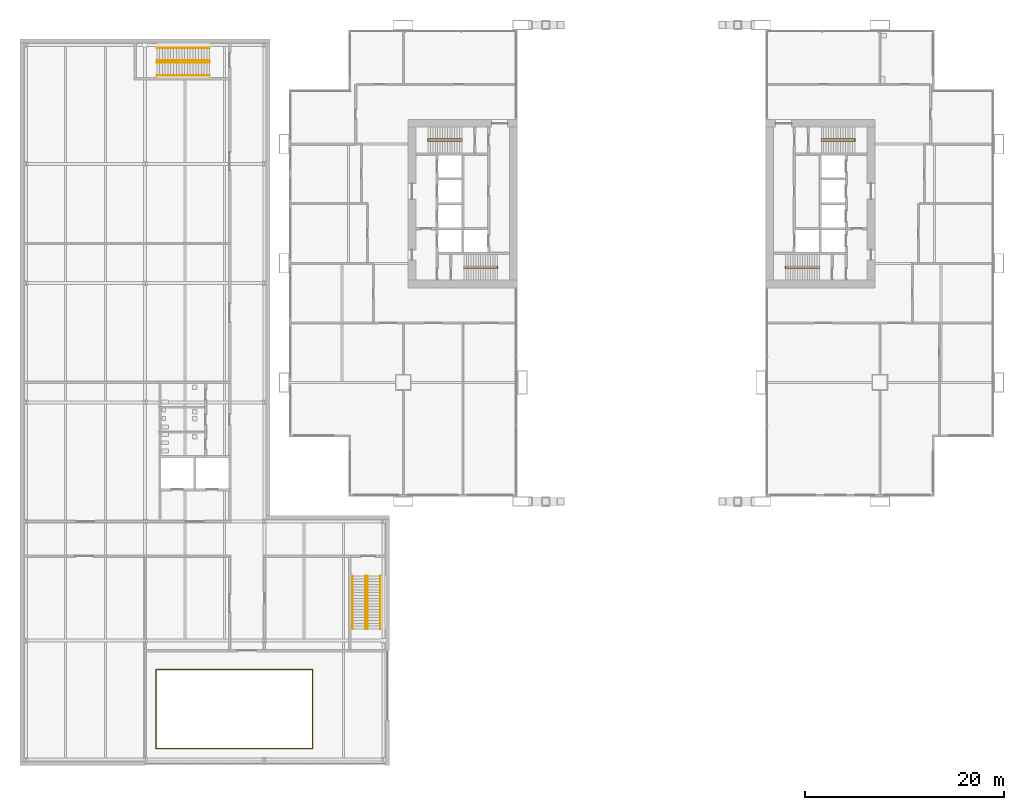
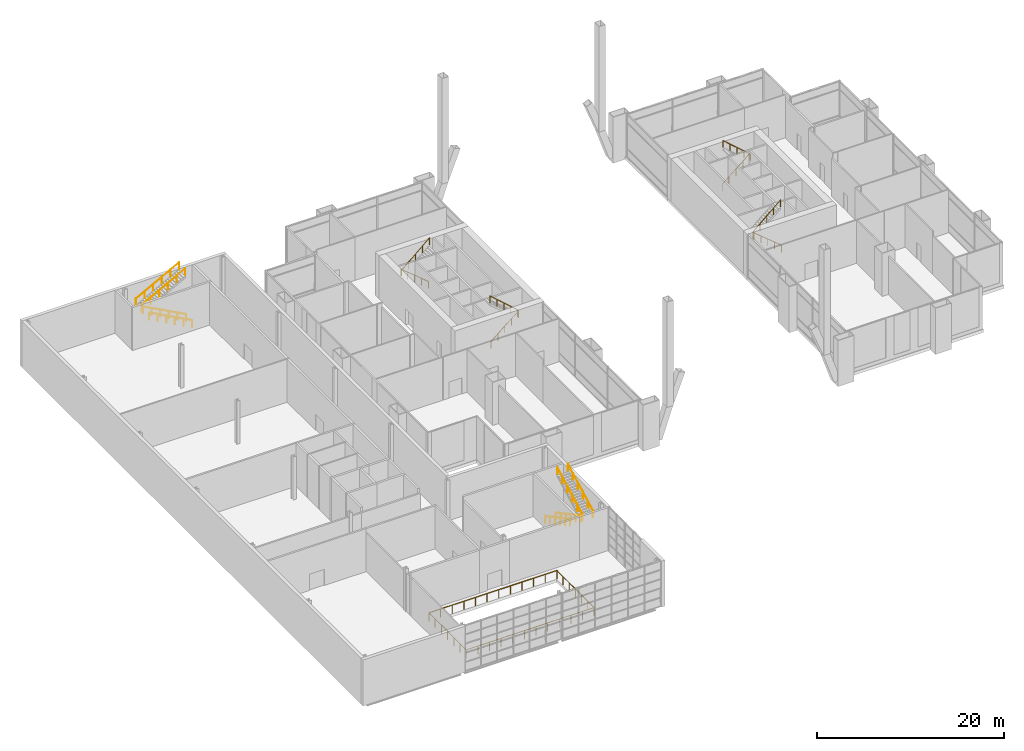
# One storey, part 29 of 30: 13 railings.
"""IFC4 building model written with IfcOpenShell, lengths in metres."""

from ifc_helpers import new_model, si_unit, direction, frame, origin, origin_2d, place, context, subcontext, project, spatial, circle, extrude, material, type_object, element, save


model = new_model("IFC4")

# Units and contexts
model_context = context("Model", 3, precision=1e-05, world=origin(), true_north=direction((0.0, 1.0)))
body_context = subcontext(model_context, "Body", "Model", "MODEL_VIEW")
ifc_project = project(units=[si_unit("LENGTHUNIT", "METRE"), si_unit("AREAUNIT", "SQUARE_METRE"), si_unit("VOLUMEUNIT", "CUBIC_METRE"), si_unit("PLANEANGLEUNIT", "RADIAN"), si_unit("MASSUNIT", "GRAM", prefix="KILO")], contexts=[model_context])

# Site, building, storey
site_placement = place(None, origin())
site = spatial("IfcSite", under=ifc_project, at=site_placement, CompositionType="ELEMENT")
building_placement = place(site_placement, origin())
building = spatial("IfcBuilding", under=site, at=building_placement, Name="Kitamizu Gate Tower and Museum", CompositionType="ELEMENT")
storey_placement = place(building_placement, frame((0.0, 0.0, 6.0)))
storey = spatial("IfcBuildingStorey", under=building, at=storey_placement, Name="L01", CompositionType="ELEMENT", Elevation=6.0)

# Railings
ifc_material_1 = material(Name="Stainless steel SUS304", Category="steel")
railing_type_1 = type_object("IfcRailingType", Name="Museum balcony guard 1100", PredefinedType="GUARDRAIL", material=ifc_material_1)
railing_1_placement = place(storey_placement, frame((2.8798828125, -24.8798828125, 0.0)))
element("IfcRailing", 1, at=railing_1_placement, inside=storey, type_object=railing_type_1, Name="Hall balcony guard", PredefinedType="GUARDRAIL", context=body_context, shape_type="SweptSolid", body=[
    extrude(circle(Radius=0.02490234375, at=origin_2d()), frame((0.0, 0.0, 1.0751953125), z_axis=(-1.0, 0.0, 0.0), x_axis=(0.0, -1.0, 0.0)), (0.0, 0.0, 1.0), 15.759765625),
    extrude(circle(Radius=0.02490234375, at=origin_2d()), frame((-15.759765625, 0.0, 1.0751953125), z_axis=(0.0, 1.0, 0.0), x_axis=(-1.0, 0.0, 0.0)), (0.0, 0.0, 1.0), 7.9599609375),
    extrude(circle(Radius=0.02490234375, at=origin_2d()), frame((-15.759765625, 7.9599609375, 1.0751953125), z_axis=(1.0, 0.0, 0.0), x_axis=(0.0, 1.0, 0.0)), (0.0, 0.0, 1.0), 15.759765625),
    extrude(circle(Radius=0.02490234375, at=origin_2d()), frame((0.0, 7.9599609375, 1.0751953125), z_axis=(0.0, -1.0, 0.0), x_axis=(1.0, 0.0, 0.0)), (0.0, 0.0, 1.0), 7.91015625),
    extrude(circle(Radius=0.02001953125, at=origin_2d()), origin(), (0.0, 0.0, 1.0), 1.050048828125),
    extrude(circle(Radius=0.02001953125, at=origin_2d()), frame((-1.4326171875, 0.0, 0.0)), (0.0, 0.0, 1.0), 1.050048828125),
    extrude(circle(Radius=0.02001953125, at=origin_2d()), frame((-2.865478515625, 0.0, 0.0)), (0.0, 0.0, 1.0), 1.050048828125),
    extrude(circle(Radius=0.02001953125, at=origin_2d()), frame((-4.298095703125, 0.0, 0.0)), (0.0, 0.0, 1.0), 1.050048828125),
    extrude(circle(Radius=0.02001953125, at=origin_2d()), frame((-5.730712890625, 0.0, 0.0)), (0.0, 0.0, 1.0), 1.050048828125),
    extrude(circle(Radius=0.02001953125, at=origin_2d()), frame((-7.16357421875, 0.0, 0.0)), (0.0, 0.0, 1.0), 1.050048828125),
    extrude(circle(Radius=0.02001953125, at=origin_2d()), frame((-8.59619140625, 0.0, 0.0)), (0.0, 0.0, 1.0), 1.050048828125),
    extrude(circle(Radius=0.02001953125, at=origin_2d()), frame((-10.029052734375, 0.0, 0.0)), (0.0, 0.0, 1.0), 1.050048828125),
    extrude(circle(Radius=0.02001953125, at=origin_2d()), frame((-11.461669921875, 0.0, 0.0)), (0.0, 0.0, 1.0), 1.050048828125),
    extrude(circle(Radius=0.02001953125, at=origin_2d()), frame((-12.894287109375, 0.0, 0.0)), (0.0, 0.0, 1.0), 1.050048828125),
    extrude(circle(Radius=0.02001953125, at=origin_2d()), frame((-14.3271484375, 0.0, 0.0)), (0.0, 0.0, 1.0), 1.050048828125),
    extrude(circle(Radius=0.02001953125, at=origin_2d()), frame((-15.759765625, 0.0, 0.0)), (0.0, 0.0, 1.0), 1.050048828125),
    extrude(circle(Radius=0.02001953125, at=origin_2d()), frame((-15.759765625, 1.32666015625, 0.0)), (0.0, 0.0, 1.0), 1.050048828125),
    extrude(circle(Radius=0.02001953125, at=origin_2d()), frame((-15.759765625, 2.6533203125, 0.0)), (0.0, 0.0, 1.0), 1.050048828125),
    extrude(circle(Radius=0.02001953125, at=origin_2d()), frame((-15.759765625, 3.97998046875, 0.0)), (0.0, 0.0, 1.0), 1.050048828125),
    extrude(circle(Radius=0.02001953125, at=origin_2d()), frame((-15.759765625, 5.306640625, 0.0)), (0.0, 0.0, 1.0), 1.050048828125),
    extrude(circle(Radius=0.02001953125, at=origin_2d()), frame((-15.759765625, 6.63330078125, 0.0)), (0.0, 0.0, 1.0), 1.050048828125),
    extrude(circle(Radius=0.02001953125, at=origin_2d()), frame((-15.759765625, 7.9599609375, 0.0)), (0.0, 0.0, 1.0), 1.050048828125),
    extrude(circle(Radius=0.02001953125, at=origin_2d()), frame((-14.3271484375, 7.9599609375, 0.0)), (0.0, 0.0, 1.0), 1.050048828125),
    extrude(circle(Radius=0.02001953125, at=origin_2d()), frame((-12.894287109375, 7.9599609375, 0.0)), (0.0, 0.0, 1.0), 1.050048828125),
    extrude(circle(Radius=0.02001953125, at=origin_2d()), frame((-11.461669921875, 7.9599609375, 0.0)), (0.0, 0.0, 1.0), 1.050048828125),
    extrude(circle(Radius=0.02001953125, at=origin_2d()), frame((-10.029052734375, 7.9599609375, 0.0)), (0.0, 0.0, 1.0), 1.050048828125),
    extrude(circle(Radius=0.02001953125, at=origin_2d()), frame((-8.59619140625, 7.9599609375, 0.0)), (0.0, 0.0, 1.0), 1.050048828125),
    extrude(circle(Radius=0.02001953125, at=origin_2d()), frame((-7.16357421875, 7.9599609375, 0.0)), (0.0, 0.0, 1.0), 1.050048828125),
    extrude(circle(Radius=0.02001953125, at=origin_2d()), frame((-5.730712890625, 7.9599609375, 0.0)), (0.0, 0.0, 1.0), 1.050048828125),
    extrude(circle(Radius=0.02001953125, at=origin_2d()), frame((-4.298095703125, 7.9599609375, 0.0)), (0.0, 0.0, 1.0), 1.050048828125),
    extrude(circle(Radius=0.02001953125, at=origin_2d()), frame((-2.865478515625, 7.9599609375, 0.0)), (0.0, 0.0, 1.0), 1.050048828125),
    extrude(circle(Radius=0.02001953125, at=origin_2d()), frame((-1.4326171875, 7.9599609375, 0.0)), (0.0, 0.0, 1.0), 1.050048828125),
    extrude(circle(Radius=0.02001953125, at=origin_2d()), frame((0.0, 7.9599609375, 0.0)), (0.0, 0.0, 1.0), 1.050048828125),
    extrude(circle(Radius=0.02001953125, at=origin_2d()), frame((0.0, 6.6416015625, 0.0)), (0.0, 0.0, 1.0), 1.050048828125),
    extrude(circle(Radius=0.02001953125, at=origin_2d()), frame((0.0, 5.3232421875, 0.0)), (0.0, 0.0, 1.0), 1.050048828125),
    extrude(circle(Radius=0.02001953125, at=origin_2d()), frame((0.0, 4.0048828125, 0.0)), (0.0, 0.0, 1.0), 1.050048828125),
    extrude(circle(Radius=0.02001953125, at=origin_2d()), frame((0.0, 2.6865234375, 0.0)), (0.0, 0.0, 1.0), 1.050048828125),
    extrude(circle(Radius=0.02001953125, at=origin_2d()), frame((0.0, 1.3681640625, 0.0)), (0.0, 0.0, 1.0), 1.050048828125),
    extrude(circle(Radius=0.02001953125, at=origin_2d()), frame((0.0, 0.0498046875, 0.0)), (0.0, 0.0, 1.0), 1.050048828125),
])
ifc_material_2 = material(Name="Stainless steel SUS304", Category="steel")
railing_type_2 = type_object("IfcRailingType", Name="Museum stair handrail 900", PredefinedType="HANDRAIL", material=ifc_material_2)
for number, where, name in (
    (2, (6.89990234375, -7.5, 0.14990234375), "Handrail stair S"),
    (3, (8.199951171875, -7.5, 0.14990234375), "Handrail stair S"),
):
    element("IfcRailing", number, at=place(storey_placement, frame(where)), inside=storey, type_object=railing_type_2, Name=name, PredefinedType="HANDRAIL", context=body_context, shape_type="SweptSolid", body=[
        extrude(circle(Radius=0.0224609375, at=origin_2d()), frame((0.0, 0.0, 0.87744140625), z_axis=(0.0, -0.881475760486, 0.472229270245), x_axis=(1.0, 0.0, 0.0)), (0.0, 0.0, 1.0), 6.035400390625),
        extrude(circle(Radius=0.01513671875, at=origin_2d()), origin(), (0.0, 0.0, 1.0), 0.85498046875),
        extrude(circle(Radius=0.01513671875, at=origin_2d()), frame((0.0, -1.06396484375, 0.570068359375)), (0.0, 0.0, 1.0), 0.85498046875),
        extrude(circle(Radius=0.01513671875, at=origin_2d()), frame((0.0, -2.1279296875, 1.14013671875)), (0.0, 0.0, 1.0), 0.85498046875),
        extrude(circle(Radius=0.01513671875, at=origin_2d()), frame((0.0, -3.192138671875, 1.7099609375)), (0.0, 0.0, 1.0), 0.85498046875),
        extrude(circle(Radius=0.01513671875, at=origin_2d()), frame((0.0, -4.256103515625, 2.280029296875)), (0.0, 0.0, 1.0), 0.85498046875),
        extrude(circle(Radius=0.01513671875, at=origin_2d()), frame((0.0, -5.320068359375, 2.85009765625)), (0.0, 0.0, 1.0), 0.85498046875),
    ])
for number, where, name in (
    (4, (8.39990234375, -12.820068359375, 3.14990234375), "Handrail stair S"),
    (5, (9.699951171875, -12.820068359375, 3.14990234375), "Handrail stair S"),
):
    element("IfcRailing", number, at=place(storey_placement, frame(where)), inside=storey, type_object=railing_type_2, Name=name, PredefinedType="HANDRAIL", context=body_context, shape_type="SweptSolid", body=[
        extrude(circle(Radius=0.0224609375, at=origin_2d()), frame((0.0, 0.0, 0.87744140625), z_axis=(0.0, 0.881475760486, 0.472229270245), x_axis=(-1.0, 0.0, 0.0)), (0.0, 0.0, 1.0), 6.035400390625),
        extrude(circle(Radius=0.01513671875, at=origin_2d()), origin(), (0.0, 0.0, 1.0), 0.85498046875),
        extrude(circle(Radius=0.01513671875, at=origin_2d()), frame((0.0, 1.06396484375, 0.570068359375)), (0.0, 0.0, 1.0), 0.85498046875),
        extrude(circle(Radius=0.01513671875, at=origin_2d()), frame((0.0, 2.1279296875, 1.14013671875)), (0.0, 0.0, 1.0), 0.85498046875),
        extrude(circle(Radius=0.01513671875, at=origin_2d()), frame((0.0, 3.192138671875, 1.7099609375)), (0.0, 0.0, 1.0), 0.85498046875),
        extrude(circle(Radius=0.01513671875, at=origin_2d()), frame((0.0, 4.256103515625, 2.280029296875)), (0.0, 0.0, 1.0), 0.85498046875),
        extrude(circle(Radius=0.01513671875, at=origin_2d()), frame((0.0, 5.320068359375, 2.85009765625)), (0.0, 0.0, 1.0), 0.85498046875),
    ])
for number, where, name in (
    (6, (-7.5, 42.89990234375, 0.14990234375), "Handrail stair N"),
    (7, (-7.5, 44.199951171875, 0.14990234375), "Handrail stair N"),
):
    element("IfcRailing", number, at=place(storey_placement, frame(where)), inside=storey, type_object=railing_type_2, Name=name, PredefinedType="HANDRAIL", context=body_context, shape_type="SweptSolid", body=[
        extrude(circle(Radius=0.0224609375, at=origin_2d()), frame((0.0, 0.0, 0.87744140625), z_axis=(-0.881475760486, 0.0, 0.472229270245), x_axis=(0.0, -1.0, 0.0)), (0.0, 0.0, 1.0), 6.035400390625),
        extrude(circle(Radius=0.01513671875, at=origin_2d()), origin(), (0.0, 0.0, 1.0), 0.85498046875),
        extrude(circle(Radius=0.01513671875, at=origin_2d()), frame((-1.06396484375, 0.0, 0.570068359375)), (0.0, 0.0, 1.0), 0.85498046875),
        extrude(circle(Radius=0.01513671875, at=origin_2d()), frame((-2.1279296875, 0.0, 1.14013671875)), (0.0, 0.0, 1.0), 0.85498046875),
        extrude(circle(Radius=0.01513671875, at=origin_2d()), frame((-3.192138671875, 0.0, 1.7099609375)), (0.0, 0.0, 1.0), 0.85498046875),
        extrude(circle(Radius=0.01513671875, at=origin_2d()), frame((-4.256103515625, 0.0, 2.280029296875)), (0.0, 0.0, 1.0), 0.85498046875),
        extrude(circle(Radius=0.01513671875, at=origin_2d()), frame((-5.320068359375, 0.0, 2.85009765625)), (0.0, 0.0, 1.0), 0.85498046875),
    ])
for number, where, name in (
    (8, (-12.820068359375, 44.39990234375, 3.14990234375), "Handrail stair N"),
    (9, (-12.820068359375, 45.699951171875, 3.14990234375), "Handrail stair N"),
):
    element("IfcRailing", number, at=place(storey_placement, frame(where)), inside=storey, type_object=railing_type_2, Name=name, PredefinedType="HANDRAIL", context=body_context, shape_type="SweptSolid", body=[
        extrude(circle(Radius=0.0224609375, at=origin_2d()), frame((0.0, 0.0, 0.87744140625), z_axis=(0.881475760486, 0.0, 0.472229270245), x_axis=(0.0, 1.0, 0.0)), (0.0, 0.0, 1.0), 6.035400390625),
        extrude(circle(Radius=0.01513671875, at=origin_2d()), origin(), (0.0, 0.0, 1.0), 0.85498046875),
        extrude(circle(Radius=0.01513671875, at=origin_2d()), frame((1.06396484375, 0.0, 0.570068359375)), (0.0, 0.0, 1.0), 0.85498046875),
        extrude(circle(Radius=0.01513671875, at=origin_2d()), frame((2.1279296875, 0.0, 1.14013671875)), (0.0, 0.0, 1.0), 0.85498046875),
        extrude(circle(Radius=0.01513671875, at=origin_2d()), frame((3.192138671875, 0.0, 1.7099609375)), (0.0, 0.0, 1.0), 0.85498046875),
        extrude(circle(Radius=0.01513671875, at=origin_2d()), frame((4.256103515625, 0.0, 2.280029296875)), (0.0, 0.0, 1.0), 0.85498046875),
        extrude(circle(Radius=0.01513671875, at=origin_2d()), frame((5.320068359375, 0.0, 2.85009765625)), (0.0, 0.0, 1.0), 0.85498046875),
    ])
ifc_material_3 = material(Name="Stainless steel SUS304", Category="steel")
railing_type_3 = type_object("IfcRailingType", Name="Stair handrail 900", PredefinedType="HANDRAIL", material=ifc_material_3)
railing_2_placement = place(storey_placement, frame((18.10009765625, 23.5, 0.199951171875)))
element("IfcRailing", 10, at=railing_2_placement, inside=storey, type_object=railing_type_3, Name="Stair handrail ST1", PredefinedType="HANDRAIL", context=body_context, shape_type="SweptSolid", body=[
    extrude(circle(Radius=0.02392578125, at=origin_2d()), frame((0.0, 0.0, 0.8759765625), z_axis=(0.771915835092, 0.0, 0.63572473881), x_axis=(0.0, 1.0, 0.0)), (0.0, 0.0, 1.0), 4.404541015625),
    extrude(circle(Radius=0.02392578125, at=origin_2d()), frame((3.39990234375, 0.0, 3.67578125), z_axis=(0.0, 1.0, 0.0), x_axis=(-1.0, 0.0, 0.0)), (0.0, 0.0, 1.0), 0.199951171875),
    extrude(circle(Radius=0.02392578125, at=origin_2d()), frame((3.39990234375, 0.199951171875, 3.67578125), z_axis=(-0.74982842739, 0.0, 0.661632321971), x_axis=(0.0, -1.0, 0.0)), (0.0, 0.0, 1.0), 4.5341796875),
    extrude(circle(Radius=0.02099609375, at=origin_2d()), origin(), (0.0, 0.0, 1.0), 0.851806640625),
    extrude(circle(Radius=0.02099609375, at=origin_2d()), frame((0.85009765625, 0.0, 0.699951171875)), (0.0, 0.0, 1.0), 0.851806640625),
    extrude(circle(Radius=0.02099609375, at=origin_2d()), frame((1.699951171875, 0.0, 1.39990234375)), (0.0, 0.0, 1.0), 0.851806640625),
    extrude(circle(Radius=0.02099609375, at=origin_2d()), frame((2.5498046875, 0.0, 2.10009765625)), (0.0, 0.0, 1.0), 0.851806640625),
    extrude(circle(Radius=0.02099609375, at=origin_2d()), frame((3.39990234375, 0.0, 2.800048828125)), (0.0, 0.0, 1.0), 0.851806640625),
    extrude(circle(Radius=0.02099609375, at=origin_2d()), frame((3.39990234375, 0.199951171875, 2.800048828125)), (0.0, 0.0, 1.0), 0.851806640625),
    extrude(circle(Radius=0.02099609375, at=origin_2d()), frame((2.5498046875, 0.199951171875, 3.550048828125)), (0.0, 0.0, 1.0), 0.851806640625),
    extrude(circle(Radius=0.02099609375, at=origin_2d()), frame((1.699951171875, 0.199951171875, 4.300048828125)), (0.0, 0.0, 1.0), 0.851806640625),
    extrude(circle(Radius=0.02099609375, at=origin_2d()), frame((0.85009765625, 0.199951171875, 5.050048828125)), (0.0, 0.0, 1.0), 0.851806640625),
    extrude(circle(Radius=0.02099609375, at=origin_2d()), frame((0.0, 0.199951171875, 5.800048828125)), (0.0, 0.0, 1.0), 0.851806640625),
])
railing_3_placement = place(storey_placement, frame((17.89990234375, 36.5, 0.199951171875)))
element("IfcRailing", 11, at=railing_3_placement, inside=storey, type_object=railing_type_3, Name="Stair handrail ST2", PredefinedType="HANDRAIL", context=body_context, shape_type="SweptSolid", body=[
    extrude(circle(Radius=0.02392578125, at=origin_2d()), frame((0.0, 0.0, 0.8759765625), z_axis=(-0.771915835092, 0.0, 0.63572473881), x_axis=(0.0, -1.0, 0.0)), (0.0, 0.0, 1.0), 4.404541015625),
    extrude(circle(Radius=0.02392578125, at=origin_2d()), frame((-3.39990234375, 0.0, 3.67578125), z_axis=(0.0, -1.0, 0.0), x_axis=(1.0, 0.0, 0.0)), (0.0, 0.0, 1.0), 0.199951171875),
    extrude(circle(Radius=0.02392578125, at=origin_2d()), frame((-3.39990234375, -0.199951171875, 3.67578125), z_axis=(0.74982842739, 0.0, 0.661632321971), x_axis=(0.0, 1.0, 0.0)), (0.0, 0.0, 1.0), 4.5341796875),
    extrude(circle(Radius=0.02099609375, at=origin_2d()), origin(), (0.0, 0.0, 1.0), 0.851806640625),
    extrude(circle(Radius=0.02099609375, at=origin_2d()), frame((-0.85009765625, 0.0, 0.699951171875)), (0.0, 0.0, 1.0), 0.851806640625),
    extrude(circle(Radius=0.02099609375, at=origin_2d()), frame((-1.699951171875, 0.0, 1.39990234375)), (0.0, 0.0, 1.0), 0.851806640625),
    extrude(circle(Radius=0.02099609375, at=origin_2d()), frame((-2.5498046875, 0.0, 2.10009765625)), (0.0, 0.0, 1.0), 0.851806640625),
    extrude(circle(Radius=0.02099609375, at=origin_2d()), frame((-3.39990234375, 0.0, 2.800048828125)), (0.0, 0.0, 1.0), 0.851806640625),
    extrude(circle(Radius=0.02099609375, at=origin_2d()), frame((-3.39990234375, -0.199951171875, 2.800048828125)), (0.0, 0.0, 1.0), 0.851806640625),
    extrude(circle(Radius=0.02099609375, at=origin_2d()), frame((-2.5498046875, -0.199951171875, 3.550048828125)), (0.0, 0.0, 1.0), 0.851806640625),
    extrude(circle(Radius=0.02099609375, at=origin_2d()), frame((-1.699951171875, -0.199951171875, 4.300048828125)), (0.0, 0.0, 1.0), 0.851806640625),
    extrude(circle(Radius=0.02099609375, at=origin_2d()), frame((-0.85009765625, -0.199951171875, 5.050048828125)), (0.0, 0.0, 1.0), 0.851806640625),
    extrude(circle(Radius=0.02099609375, at=origin_2d()), frame((0.0, -0.199951171875, 5.800048828125)), (0.0, 0.0, 1.0), 0.851806640625),
])
railing_4_placement = place(storey_placement, frame((53.89990234375, 23.5, 0.199951171875)))
element("IfcRailing", 12, at=railing_4_placement, inside=storey, type_object=railing_type_3, Name="Stair handrail ST3", PredefinedType="HANDRAIL", context=body_context, shape_type="SweptSolid", body=[
    extrude(circle(Radius=0.02392578125, at=origin_2d()), frame((0.0, 0.0, 0.8759765625), z_axis=(-0.771915835092, 0.0, 0.63572473881), x_axis=(0.0, -1.0, 0.0)), (0.0, 0.0, 1.0), 4.404541015625),
    extrude(circle(Radius=0.02392578125, at=origin_2d()), frame((-3.39990234375, 0.0, 3.67578125), z_axis=(0.0, 1.0, 0.0), x_axis=(-1.0, 0.0, 0.0)), (0.0, 0.0, 1.0), 0.199951171875),
    extrude(circle(Radius=0.02392578125, at=origin_2d()), frame((-3.39990234375, 0.199951171875, 3.67578125), z_axis=(0.74982842739, 0.0, 0.661632321971), x_axis=(0.0, 1.0, 0.0)), (0.0, 0.0, 1.0), 4.5341796875),
    extrude(circle(Radius=0.02099609375, at=origin_2d()), origin(), (0.0, 0.0, 1.0), 0.851806640625),
    extrude(circle(Radius=0.02099609375, at=origin_2d()), frame((-0.85009765625, 0.0, 0.699951171875)), (0.0, 0.0, 1.0), 0.851806640625),
    extrude(circle(Radius=0.02099609375, at=origin_2d()), frame((-1.699951171875, 0.0, 1.39990234375)), (0.0, 0.0, 1.0), 0.851806640625),
    extrude(circle(Radius=0.02099609375, at=origin_2d()), frame((-2.5498046875, 0.0, 2.10009765625)), (0.0, 0.0, 1.0), 0.851806640625),
    extrude(circle(Radius=0.02099609375, at=origin_2d()), frame((-3.39990234375, 0.0, 2.800048828125)), (0.0, 0.0, 1.0), 0.851806640625),
    extrude(circle(Radius=0.02099609375, at=origin_2d()), frame((-3.39990234375, 0.199951171875, 2.800048828125)), (0.0, 0.0, 1.0), 0.851806640625),
    extrude(circle(Radius=0.02099609375, at=origin_2d()), frame((-2.5498046875, 0.199951171875, 3.550048828125)), (0.0, 0.0, 1.0), 0.851806640625),
    extrude(circle(Radius=0.02099609375, at=origin_2d()), frame((-1.699951171875, 0.199951171875, 4.300048828125)), (0.0, 0.0, 1.0), 0.851806640625),
    extrude(circle(Radius=0.02099609375, at=origin_2d()), frame((-0.85009765625, 0.199951171875, 5.050048828125)), (0.0, 0.0, 1.0), 0.851806640625),
    extrude(circle(Radius=0.02099609375, at=origin_2d()), frame((0.0, 0.199951171875, 5.800048828125)), (0.0, 0.0, 1.0), 0.851806640625),
])
railing_5_placement = place(storey_placement, frame((54.10009765625, 36.5, 0.199951171875)))
element("IfcRailing", 13, at=railing_5_placement, inside=storey, type_object=railing_type_3, Name="Stair handrail ST4", PredefinedType="HANDRAIL", context=body_context, shape_type="SweptSolid", body=[
    extrude(circle(Radius=0.02392578125, at=origin_2d()), frame((0.0, 0.0, 0.8759765625), z_axis=(0.771915835092, 0.0, 0.63572473881), x_axis=(0.0, 1.0, 0.0)), (0.0, 0.0, 1.0), 4.404541015625),
    extrude(circle(Radius=0.02392578125, at=origin_2d()), frame((3.39990234375, 0.0, 3.67578125), z_axis=(0.0, -1.0, 0.0), x_axis=(1.0, 0.0, 0.0)), (0.0, 0.0, 1.0), 0.199951171875),
    extrude(circle(Radius=0.02392578125, at=origin_2d()), frame((3.39990234375, -0.199951171875, 3.67578125), z_axis=(-0.74982842739, 0.0, 0.661632321971), x_axis=(0.0, -1.0, 0.0)), (0.0, 0.0, 1.0), 4.5341796875),
    extrude(circle(Radius=0.02099609375, at=origin_2d()), origin(), (0.0, 0.0, 1.0), 0.851806640625),
    extrude(circle(Radius=0.02099609375, at=origin_2d()), frame((0.85009765625, 0.0, 0.699951171875)), (0.0, 0.0, 1.0), 0.851806640625),
    extrude(circle(Radius=0.02099609375, at=origin_2d()), frame((1.699951171875, 0.0, 1.39990234375)), (0.0, 0.0, 1.0), 0.851806640625),
    extrude(circle(Radius=0.02099609375, at=origin_2d()), frame((2.5498046875, 0.0, 2.10009765625)), (0.0, 0.0, 1.0), 0.851806640625),
    extrude(circle(Radius=0.02099609375, at=origin_2d()), frame((3.39990234375, 0.0, 2.800048828125)), (0.0, 0.0, 1.0), 0.851806640625),
    extrude(circle(Radius=0.02099609375, at=origin_2d()), frame((3.39990234375, -0.199951171875, 2.800048828125)), (0.0, 0.0, 1.0), 0.851806640625),
    extrude(circle(Radius=0.02099609375, at=origin_2d()), frame((2.5498046875, -0.199951171875, 3.550048828125)), (0.0, 0.0, 1.0), 0.851806640625),
    extrude(circle(Radius=0.02099609375, at=origin_2d()), frame((1.699951171875, -0.199951171875, 4.300048828125)), (0.0, 0.0, 1.0), 0.851806640625),
    extrude(circle(Radius=0.02099609375, at=origin_2d()), frame((0.85009765625, -0.199951171875, 5.050048828125)), (0.0, 0.0, 1.0), 0.851806640625),
    extrude(circle(Radius=0.02099609375, at=origin_2d()), frame((0.0, -0.199951171875, 5.800048828125)), (0.0, 0.0, 1.0), 0.851806640625),
])

save(model, "model.ifc")
